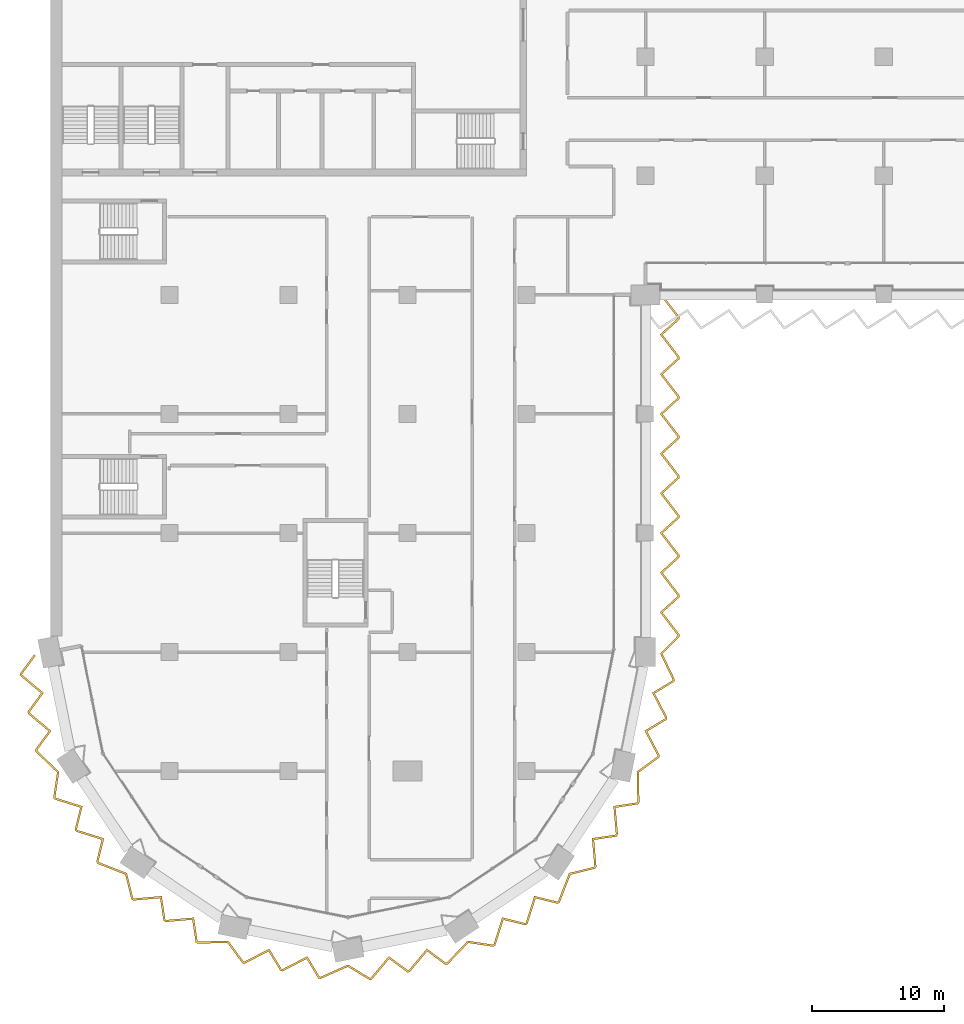
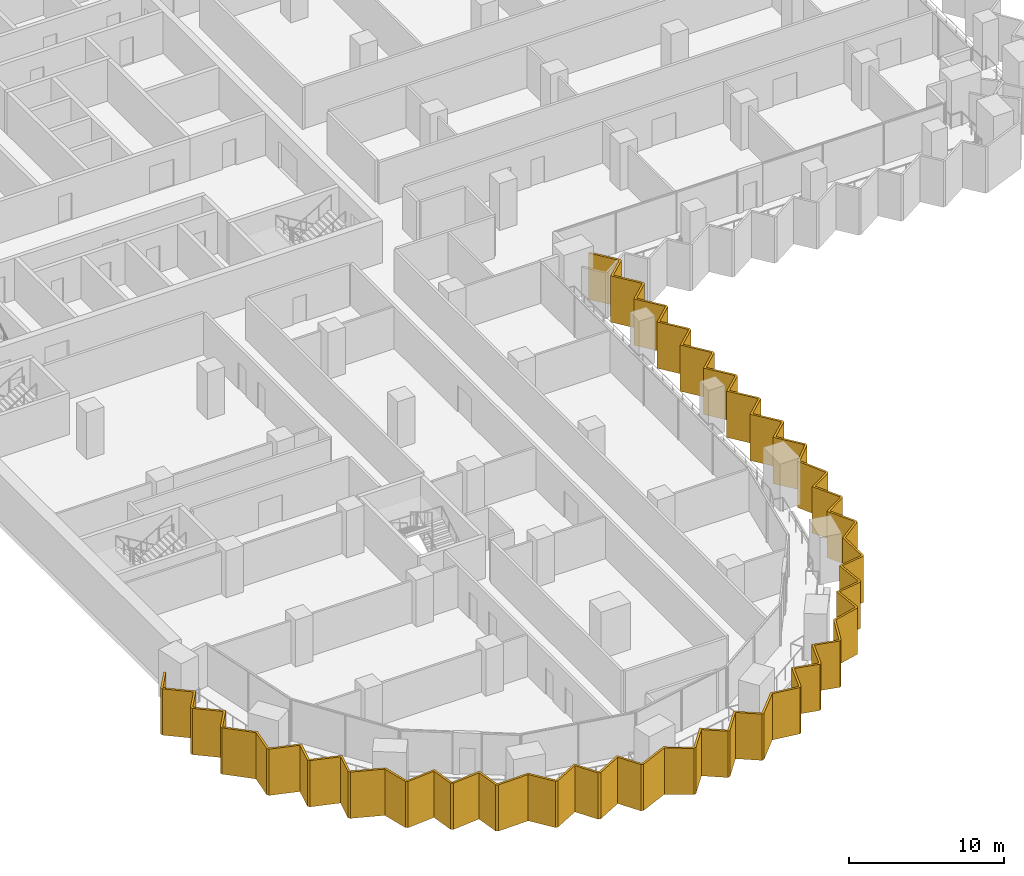
# One storey, part 19 of 23: 1 shading device.
"""IFC4 building model written with IfcOpenShell, lengths in metres."""

from ifc_helpers import new_model, si_unit, direction, frame, origin, place, context, subcontext, project, spatial, polyline, outline, extrude, material, layer, layer_set, type_object, element, save


model = new_model("IFC4")

# Units and contexts
model_context = context("Model", 3, precision=1e-05, world=origin(), true_north=direction((0.0, 1.0)))
body_context = subcontext(model_context, "Body", "Model", "MODEL_VIEW")
ifc_project = project(units=[si_unit("LENGTHUNIT", "METRE"), si_unit("AREAUNIT", "SQUARE_METRE"), si_unit("VOLUMEUNIT", "CUBIC_METRE"), si_unit("PLANEANGLEUNIT", "RADIAN"), si_unit("MASSUNIT", "GRAM", prefix="KILO")], contexts=[model_context])

# Site, building, storey
site_placement = place(None, origin())
site = spatial("IfcSite", under=ifc_project, at=site_placement, CompositionType="ELEMENT")
building_placement = place(site_placement, origin())
building = spatial("IfcBuilding", under=site, at=building_placement, Name="Hunhe Ridgeline Campus", CompositionType="ELEMENT")
storey_placement = place(building_placement, frame((0.0, 0.0, 95.89990234375)))
storey = spatial("IfcBuildingStorey", under=building, at=storey_placement, Name="L23", CompositionType="ELEMENT", Elevation=95.89990234375)

# Shading device
ifc_material = material(Name="Concrete C50", Category="concrete")
ifc_layer = layer(ifc_material, 0.14990234375)
ifc_layer_set = layer_set([ifc_layer], Name="Sawtooth concrete fin 150 Concrete C50")
shading_device_type = type_object("IfcShadingDeviceType", Name="Sawtooth concrete fin 150 Concrete C50", PredefinedType="USERDEFINED", material=ifc_layer_set)
shading_device_placement = place(storey_placement, frame((0.0, 0.0, -0.949951171875)))
element("IfcShadingDevice", 1, at=shading_device_placement, inside=storey, type_object=shading_device_type, Name="Concrete fin screen 1", ObjectType="FIN", PredefinedType="USERDEFINED", context=body_context, shape_type="SweptSolid", body=[
    extrude(outline(polyline([(-1.105712890625, 26.7236328125), (-1.226318359375, 26.8125), (-2.289794921875, 25.369140625), (-2.254638671875, 25.193115234375), (-0.697265625, 23.8857421875), (-1.71875, 22.4990234375), (-1.683837890625, 22.322998046875), (-0.126220703125, 21.015625), (-1.14794921875, 19.62890625), (-1.11328125, 19.45556640625), (0.5126953125, 17.8984375), (0.2236328125, 16.003173828125), (0.3212890625, 15.857421875), (2.26025390625, 15.24560546875), (1.84716796875, 13.573486328125), (1.947021484375, 13.42431640625), (3.88623046875, 12.8125), (3.47314453125, 11.14013671875), (3.5712890625, 10.993408203125), (5.66943359375, 10.17724609375), (6.127685546875, 8.315673828125), (6.2734375, 8.218017578125), (8.299072265625, 8.39501953125), (8.557373046875, 6.69189453125), (8.706787109375, 6.59228515625), (10.732421875, 6.769287109375), (10.99072265625, 5.066162109375), (11.1376953125, 4.968017578125), (13.388427734375, 5.01708984375), (14.524169921875, 3.472412109375), (14.6962890625, 3.438232421875), (16.5, 4.376708984375), (17.390380859375, 2.90234375), (17.56640625, 2.8671875), (19.3701171875, 3.805908203125), (20.260498046875, 2.331298828125), (20.433837890625, 2.296875), (22.49462890625, 3.20361328125), (24.134765625, 2.211181640625), (24.306884765625, 2.245361328125), (25.6142578125, 3.802734375), (27.0009765625, 2.78125), (27.177001953125, 2.816162109375), (28.484375, 4.373779296875), (29.87109375, 3.35205078125), (30.04443359375, 3.38671875), (31.6015625, 5.0126953125), (33.496826171875, 4.7236328125), (33.642578125, 4.8212890625), (34.25439453125, 6.76025390625), (35.926513671875, 6.34716796875), (36.07568359375, 6.447021484375), (36.6875, 8.38623046875), (38.35986328125, 7.97314453125), (38.506591796875, 8.0712890625), (39.32275390625, 10.16943359375), (41.184326171875, 10.627685546875), (41.281982421875, 10.7734375), (41.10498046875, 12.799072265625), (42.80810546875, 13.057373046875), (42.90771484375, 13.206787109375), (42.730712890625, 15.232421875), (44.433837890625, 15.49072265625), (44.531982421875, 15.6376953125), (44.48291015625, 17.888427734375), (46.027587890625, 19.024169921875), (46.061767578125, 19.1962890625), (45.123291015625, 21.0), (46.59765625, 21.890380859375), (46.6328125, 22.06640625), (45.694091796875, 23.8701171875), (47.168701171875, 24.760498046875), (47.203369140625, 24.93505859375), (46.279296875, 26.867431640625), (47.56396484375, 28.155029296875), (47.56396484375, 28.33154296875), (46.290283203125, 29.990966796875), (47.56396484375, 31.15283203125), (47.56396484375, 31.33154296875), (46.290283203125, 32.990966796875), (47.56396484375, 34.15283203125), (47.56396484375, 34.33154296875), (46.290283203125, 35.990966796875), (47.56396484375, 37.15283203125), (47.56396484375, 37.33154296875), (46.290283203125, 38.990966796875), (47.56396484375, 40.15283203125), (47.56396484375, 40.33154296875), (46.290283203125, 41.990966796875), (47.56396484375, 43.15283203125), (47.56396484375, 43.33154296875), (46.290283203125, 44.990966796875), (47.56396484375, 46.15283203125), (47.56396484375, 46.33154296875), (46.290283203125, 47.990966796875), (47.56396484375, 49.15283203125), (47.56396484375, 49.33154296875), (46.290283203125, 50.990966796875), (47.56396484375, 52.15283203125), (47.56396484375, 52.33154296875), (46.248291015625, 54.045654296875), (46.12939453125, 53.954345703125), (47.413818359375, 52.280517578125), (47.413818359375, 52.21923828125), (46.08740234375, 51.009033203125), (47.413818359375, 49.280517578125), (47.413818359375, 49.21923828125), (46.08740234375, 48.009033203125), (47.413818359375, 46.280517578125), (47.413818359375, 46.21923828125), (46.08740234375, 45.009033203125), (47.413818359375, 43.280517578125), (47.413818359375, 43.21923828125), (46.08740234375, 42.009033203125), (47.413818359375, 40.280517578125), (47.413818359375, 40.21923828125), (46.08740234375, 39.009033203125), (47.413818359375, 37.280517578125), (47.413818359375, 37.21923828125), (46.08740234375, 36.009033203125), (47.413818359375, 34.280517578125), (47.413818359375, 34.21923828125), (46.08740234375, 33.009033203125), (47.413818359375, 31.280517578125), (47.413818359375, 31.21923828125), (46.08740234375, 30.009033203125), (47.413818359375, 28.280517578125), (47.413818359375, 28.217041015625), (46.098388671875, 26.8984375), (47.04638671875, 24.91552734375), (47.034423828125, 24.854736328125), (45.49609375, 23.92578125), (46.475341796875, 22.0439453125), (46.463623046875, 21.984619140625), (44.92529296875, 21.0556640625), (45.904296875, 19.173828125), (45.891845703125, 19.110595703125), (44.331298828125, 17.963134765625), (44.381103515625, 15.681640625), (44.345947265625, 15.629150390625), (42.569091796875, 15.359619140625), (42.753662109375, 13.24609375), (42.719970703125, 13.19580078125), (40.943359375, 12.92626953125), (41.1279296875, 10.81298828125), (41.092041015625, 10.75927734375), (39.211181640625, 10.29638671875), (38.384033203125, 8.169677734375), (38.33154296875, 8.134521484375), (36.5869140625, 8.5654296875), (35.94873046875, 6.54248046875), (35.898193359375, 6.5087890625), (34.15380859375, 6.939697265625), (33.515380859375, 4.91650390625), (33.4619140625, 4.880859375), (31.547119140625, 5.1728515625), (29.968994140625, 3.5244140625), (29.906982421875, 3.51220703125), (28.4599609375, 4.577880859375), (27.09619140625, 2.953125), (27.03662109375, 2.941162109375), (25.58984375, 4.007080078125), (24.22607421875, 2.382080078125), (24.16259765625, 2.36962890625), (22.50537109375, 3.372314453125), (20.416748046875, 2.453125), (20.354736328125, 2.465576171875), (19.42578125, 4.00390625), (17.5439453125, 3.024658203125), (17.484619140625, 3.036376953125), (16.5556640625, 4.57470703125), (14.673828125, 3.595703125), (14.610595703125, 3.608154296875), (13.463134765625, 5.168701171875), (11.181640625, 5.118896484375), (11.129150390625, 5.154052734375), (10.859619140625, 6.930908203125), (8.74609375, 6.746337890625), (8.69580078125, 6.780029296875), (8.42626953125, 8.556640625), (6.31298828125, 8.3720703125), (6.25927734375, 8.407958984375), (5.79638671875, 10.288818359375), (3.669677734375, 11.115966796875), (3.634521484375, 11.16845703125), (4.0654296875, 12.9130859375), (2.04248046875, 13.55126953125), (2.0087890625, 13.601806640625), (2.439697265625, 15.34619140625), (0.41650390625, 15.984619140625), (0.380859375, 16.0380859375), (0.6728515625, 17.952880859375), (-0.9755859375, 19.531005859375), (-0.98779296875, 19.593017578125), (0.077880859375, 21.0400390625), (-1.546875, 22.40380859375), (-1.558837890625, 22.46337890625), (-0.492919921875, 23.91015625), (-2.117919921875, 25.27392578125), (-2.129638671875, 25.33349609375), (-1.105712890625, 26.7236328125)])), origin(), (0.0, 0.0, 1.0), 3.650146484375),
])

save(model, "model.ifc")
